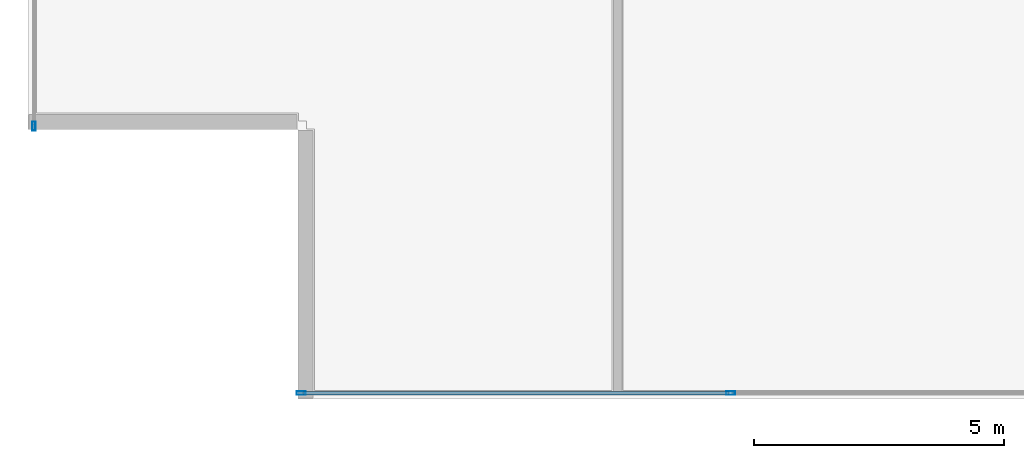
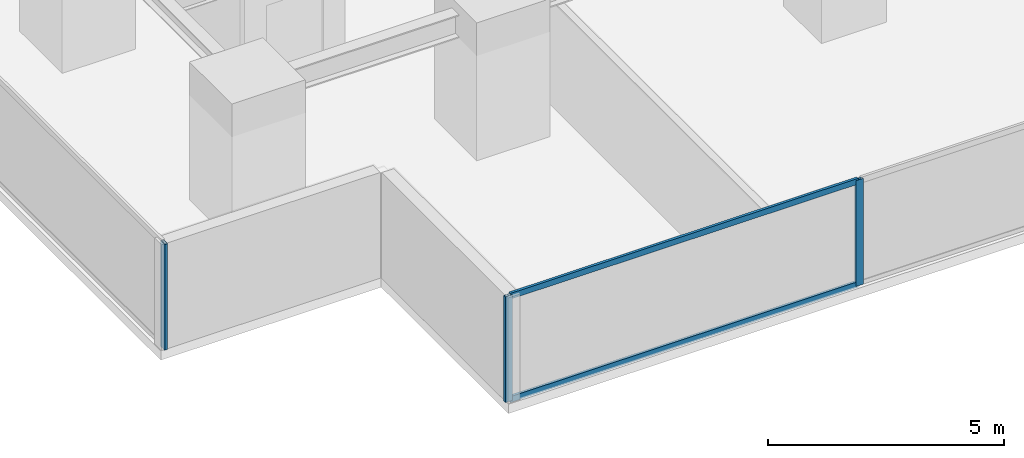
# One storey, part 2 of 33: 5 members, 2 elements without a shape of their own.
"""IFC4 building model written with IfcOpenShell, lengths in metres."""

from ifc_helpers import new_model, si_unit, direction, frame, origin, origin_2d, place, context, subcontext, project, spatial, hollow_rectangle, extrude, source, transform, mapped, material, layer, layer_set, material_profile, profile_set, type_object, element, aggregate, save


model = new_model("IFC4")

# Units and contexts
model_context = context("Model", 3, precision=1e-05, world=origin(), true_north=direction((0.0, 1.0)))
body_context = subcontext(model_context, "Body", "Model", "MODEL_VIEW")
ifc_project = project(units=[si_unit("LENGTHUNIT", "METRE"), si_unit("AREAUNIT", "SQUARE_METRE"), si_unit("VOLUMEUNIT", "CUBIC_METRE"), si_unit("PLANEANGLEUNIT", "RADIAN"), si_unit("MASSUNIT", "GRAM", prefix="KILO")], contexts=[model_context])

# Site, building, storey
site_placement = place(None, origin())
site = spatial("IfcSite", under=ifc_project, at=site_placement, CompositionType="ELEMENT")
building_placement = place(site_placement, origin())
building = spatial("IfcBuilding", under=site, at=building_placement, Name="Sumidabori Civic Tower", CompositionType="ELEMENT")
storey_placement = place(building_placement, frame((0.0, 0.0, 63.199951171875)))
storey = spatial("IfcBuildingStorey", under=building, at=storey_placement, Name="L16", CompositionType="ELEMENT", Elevation=63.199951171875)

# Curtain wall, members
ifc_material = material(Name="Anodised Bronze Aluminium AW-6063-T6", Category="aluminium")
ifc_layer = layer(ifc_material, 0.179931640625, Name="Anodised Bronze Aluminium AW-6063-T6")
ifc_layer_set = layer_set([ifc_layer], Name="Anodised Bronze Aluminium AW-6063-T6")
curtain_wall_type = type_object("IfcCurtainWallType", Name="CW-SYS-2", PredefinedType="NOTDEFINED", material=ifc_layer_set)
curtain_wall_1_placement = place(storey_placement, origin())
curtain_wall_1 = element("IfcCurtainWall", 1, at=curtain_wall_1_placement, inside=storey, type_object=curtain_wall_type, Name="Curtain Wall CW:L16:R01", PredefinedType="NOTDEFINED")
ifc_material_profile_1 = material_profile(ifc_material, hollow_rectangle(XDim=0.070068359375, YDim=0.179931640625, WallThickness=0.006103515625, at=origin_2d()), Name="ALU MULLION 180x70")
ifc_profile_set_1 = profile_set([ifc_material_profile_1], Name="Anodised Bronze Aluminium AW-6063-T6")
member_type_1 = type_object("IfcMemberType", Name="CW-MUL-180", PredefinedType="MULLION", material=ifc_profile_set_1)
shared_shape_1 = source(origin(), body_context, "Body", "SweptSolid", [
    extrude(hollow_rectangle(XDim=0.070068359375, YDim=0.179931640625, WallThickness=0.006103515625, at=origin_2d()), origin(), (0.0, 0.0, 1.0), 2.739990234375),
])
member_1_placement = place(storey_placement, frame((-21.534912109375, -26.8798828125, 0.0), z_axis=(0.0, 0.0, 1.0), x_axis=(0.0, 1.0, 0.0)))
member_1 = element("IfcMember", 2, at=member_1_placement, type_object=member_type_1, Name="CW-2 mullion 1", PredefinedType="MULLION", context=body_context, shape_type="MappedRepresentation", body=[
    mapped(shared_shape_1, transform((0.0, 0.0, 0.0), x_axis=(1.0, 0.0, 0.0), y_axis=(0.0, 1.0, 0.0), z_axis=(0.0, 0.0, 1.0), scale=1.0)),
])
member_2_placement = place(storey_placement, frame((-12.94189453125, -26.8798828125, 0.0), z_axis=(0.0, 0.0, 1.0), x_axis=(0.0, 1.0, 0.0)))
member_2 = element("IfcMember", 3, at=member_2_placement, type_object=member_type_1, Name="CW-2 mullion 2", PredefinedType="MULLION", context=body_context, shape_type="MappedRepresentation", body=[
    mapped(shared_shape_1, transform((0.0, 0.0, 0.0), x_axis=(1.0, 0.0, 0.0), y_axis=(0.0, 1.0, 0.0), z_axis=(0.0, 0.0, 1.0), scale=1.0)),
])

# Curtain wall, member
curtain_wall_2_placement = place(storey_placement, origin())
curtain_wall_2 = element("IfcCurtainWall", 4, at=curtain_wall_2_placement, inside=storey, type_object=curtain_wall_type, Name="Curtain Wall CW:L16:R10", PredefinedType="NOTDEFINED")
member_3_placement = place(storey_placement, frame((-26.8798828125, -21.534912109375, 0.0), z_axis=(0.0, 0.0, 1.0), x_axis=(1.0, 0.0, 0.0)))
member_3 = element("IfcMember", 5, at=member_3_placement, type_object=member_type_1, Name="CW-2 mullion 6", PredefinedType="MULLION", context=body_context, shape_type="MappedRepresentation", body=[
    mapped(shared_shape_1, transform((0.0, 0.0, 0.0), x_axis=(1.0, 0.0, 0.0), y_axis=(0.0, 1.0, 0.0), z_axis=(0.0, 0.0, 1.0), scale=1.0)),
])
aggregate(curtain_wall_2, [member_3])

# Member
ifc_material_profile_2 = material_profile(ifc_material, hollow_rectangle(XDim=0.06494140625, YDim=0.14990234375, WallThickness=0.0048828125, at=origin_2d()), Name="ALU TRANSOM 150x65")
ifc_profile_set_2 = profile_set([ifc_material_profile_2], Name="Anodised Bronze Aluminium AW-6063-T6")
member_type_2 = type_object("IfcMemberType", Name="CW-TRN-150", PredefinedType="USERDEFINED", material=ifc_profile_set_2)
shared_shape_2 = source(origin(), body_context, "Body", "SweptSolid", [
    extrude(hollow_rectangle(XDim=0.06494140625, YDim=0.14990234375, WallThickness=0.0048828125, at=origin_2d()), origin(), (0.0, 0.0, 1.0), 8.52294921875),
])
member_4_placement = place(storey_placement, frame((-21.5, -26.8798828125, 0.032470703125), z_axis=(1.0, 0.0, 0.0), x_axis=(0.0, 1.0, 0.0)))
member_4 = element("IfcMember", 6, at=member_4_placement, type_object=member_type_2, Name="CW-2 transom 1.1", ObjectType="TRANSOM", PredefinedType="USERDEFINED", context=body_context, shape_type="MappedRepresentation", body=[
    mapped(shared_shape_2, transform((0.0, 0.0, 0.0), x_axis=(1.0, 0.0, 0.0), y_axis=(0.0, 1.0, 0.0), z_axis=(0.0, 0.0, 1.0), scale=1.0)),
])

member_5_placement = place(storey_placement, frame((-21.5, -26.8798828125, 2.70751953125), z_axis=(1.0, 0.0, 0.0), x_axis=(0.0, 1.0, 0.0)))
member_5 = element("IfcMember", 7, at=member_5_placement, type_object=member_type_2, Name="CW-2 transom 1.2", ObjectType="TRANSOM", PredefinedType="USERDEFINED", context=body_context, shape_type="MappedRepresentation", body=[
    mapped(shared_shape_2, transform((0.0, 0.0, 0.0), x_axis=(1.0, 0.0, 0.0), y_axis=(0.0, 1.0, 0.0), z_axis=(0.0, 0.0, 1.0), scale=1.0)),
])

aggregate(curtain_wall_1, [member_1, member_2, member_4, member_5])

save(model, "model.ifc")
